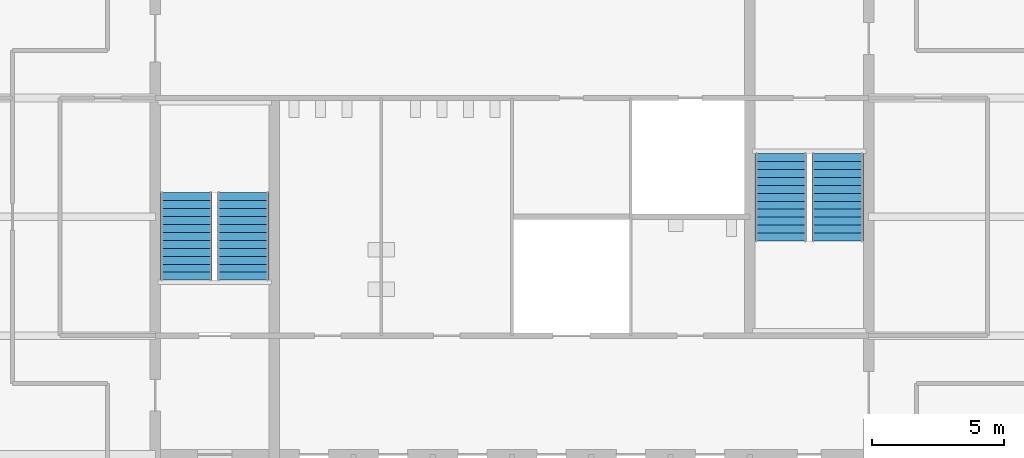
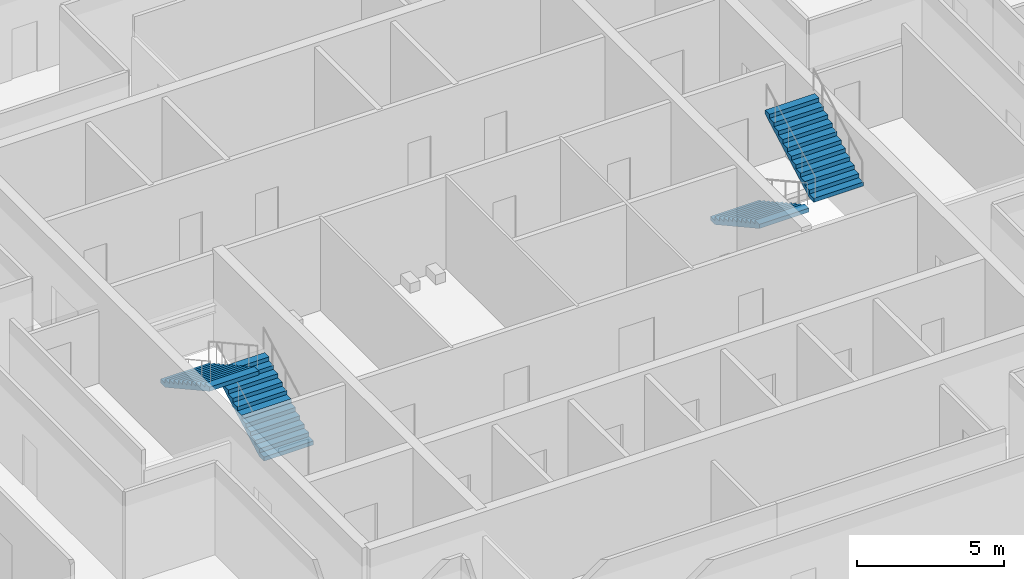
# One storey, part 12 of 14: 4 stair flights, 2 elements without a shape of their own.
"""IFC4 building model written with IfcOpenShell, lengths in metres."""

from ifc_helpers import new_model, si_unit, direction, frame, origin, place, context, subcontext, project, spatial, polyline, outline, extrude, material, type_object, element, aggregate, save


model = new_model("IFC4")

# Units and contexts
model_context = context("Model", 3, precision=1e-05, world=origin(), true_north=direction((0.0, 1.0)))
body_context = subcontext(model_context, "Body", "Model", "MODEL_VIEW")
ifc_project = project(units=[si_unit("LENGTHUNIT", "METRE"), si_unit("AREAUNIT", "SQUARE_METRE"), si_unit("VOLUMEUNIT", "CUBIC_METRE"), si_unit("PLANEANGLEUNIT", "RADIAN"), si_unit("MASSUNIT", "GRAM", prefix="KILO")], contexts=[model_context])

# Site, building, storey
site_placement = place(None, origin())
site = spatial("IfcSite", under=ifc_project, at=site_placement, CompositionType="ELEMENT")
building_placement = place(site_placement, origin())
building = spatial("IfcBuilding", under=site, at=building_placement, Name="Corais Broadcast Tower", CompositionType="ELEMENT")
storey_placement = place(building_placement, frame((0.0, 0.0, 218.60009765625)))
storey = spatial("IfcBuildingStorey", under=building, at=storey_placement, Name="L50", CompositionType="ELEMENT", Elevation=218.60009765625)

# Stair, stair flights
ifc_material_1 = material(Name="Concrete C30/37", Category="concrete")
stair_type = type_object("IfcStairType", Name="Half-turn stair 4000", PredefinedType="HALF_TURN_STAIR", material=ifc_material_1)
stair_1_placement = place(storey_placement, origin())
stair_1 = element("IfcStair", 1, at=stair_1_placement, inside=storey, type_object=stair_type, Name="Stair A L50", PredefinedType="HALF_TURN_STAIR")
ifc_material_2 = material(Name="Concrete C30/37", Category="concrete")
stair_flight_type = type_object("IfcStairFlightType", Name="Stair flight 4000", PredefinedType="STRAIGHT", material=ifc_material_2)
stair_flight_1_placement = place(storey_placement, frame((16.824951171875, 24.60009765625, 0.0), z_axis=(0.0, 0.0, 1.0), x_axis=(0.0, 1.0, 0.0)))
stair_flight_1 = element("IfcStairFlight", 2, at=stair_flight_1_placement, type_object=stair_flight_type, Name="STA flight 1", NumberOfRisers=12, NumberOfTreads=11, PredefinedType="STRAIGHT", RiserHeight=0.166666667, TreadLength=0.302, context=body_context, shape_type="SweptSolid", body=[
    extrude(outline(polyline([(0.0, 0.0), (0.0, 0.166748046875), (0.302001953125, 0.166748046875), (0.302001953125, 0.333251953125), (0.60400390625, 0.333251953125), (0.60400390625, 0.5), (0.906005859375, 0.5), (0.906005859375, 0.666748046875), (1.2080078125, 0.666748046875), (1.2080078125, 0.833251953125), (1.510009765625, 0.833251953125), (1.510009765625, 1.0), (1.81201171875, 1.0), (1.81201171875, 1.166748046875), (2.114013671875, 1.166748046875), (2.114013671875, 1.333251953125), (2.416015625, 1.333251953125), (2.416015625, 1.5), (2.718017578125, 1.5), (2.718017578125, 1.666748046875), (3.02001953125, 1.666748046875), (3.02001953125, 1.833251953125), (3.322021484375, 1.833251953125), (3.322021484375, 2.0), (3.322021484375, 1.662109375), (0.310302734375, 0.0), (0.0, 0.0)])), frame((0.0, 0.97509765625, 0.0), z_axis=(0.0, -1.0, 0.0), x_axis=(1.0, 0.0, 0.0)), (0.0, 0.0, 1.0), 1.949951171875),
])
stair_flight_2_placement = place(storey_placement, frame((14.675048828125, 27.922119140625, 2.0), z_axis=(0.0, 0.0, 1.0), x_axis=(0.0, -1.0, 0.0)))
stair_flight_2 = element("IfcStairFlight", 3, at=stair_flight_2_placement, type_object=stair_flight_type, Name="STA flight 2", NumberOfRisers=12, NumberOfTreads=11, PredefinedType="STRAIGHT", RiserHeight=0.166666667, TreadLength=0.302, context=body_context, shape_type="SweptSolid", body=[
    extrude(outline(polyline([(0.0, 0.0), (0.0, 0.166748046875), (0.302001953125, 0.166748046875), (0.302001953125, 0.333251953125), (0.60400390625, 0.333251953125), (0.60400390625, 0.5), (0.906005859375, 0.5), (0.906005859375, 0.666748046875), (1.2080078125, 0.666748046875), (1.2080078125, 0.833251953125), (1.510009765625, 0.833251953125), (1.510009765625, 1.0), (1.81201171875, 1.0), (1.81201171875, 1.166748046875), (2.114013671875, 1.166748046875), (2.114013671875, 1.333251953125), (2.416015625, 1.333251953125), (2.416015625, 1.5), (2.718017578125, 1.5), (2.718017578125, 1.666748046875), (3.02001953125, 1.666748046875), (3.02001953125, 1.833251953125), (3.322021484375, 1.833251953125), (3.322021484375, 2.0), (3.322021484375, 1.662109375), (0.310302734375, 0.0), (0.0, 0.0)])), frame((0.0, 0.97509765625, 0.0), z_axis=(0.0, -1.0, 0.0), x_axis=(1.0, 0.0, 0.0)), (0.0, 0.0, 1.0), 1.949951171875),
])
aggregate(stair_1, [stair_flight_1, stair_flight_2])

stair_2_placement = place(storey_placement, origin())
stair_2 = element("IfcStair", 4, at=stair_2_placement, inside=storey, type_object=stair_type, Name="Stair B L50", PredefinedType="HALF_TURN_STAIR")
stair_flight_3_placement = place(storey_placement, frame((37.175048828125, 29.39990234375, 0.0), z_axis=(0.0, 0.0, 1.0), x_axis=(0.0, -1.0, 0.0)))
stair_flight_3 = element("IfcStairFlight", 5, at=stair_flight_3_placement, type_object=stair_flight_type, Name="STB flight 1", NumberOfRisers=12, NumberOfTreads=11, PredefinedType="STRAIGHT", RiserHeight=0.166666667, TreadLength=0.302, context=body_context, shape_type="SweptSolid", body=[
    extrude(outline(polyline([(0.0, 0.0), (0.0, 0.166748046875), (0.302001953125, 0.166748046875), (0.302001953125, 0.333251953125), (0.60400390625, 0.333251953125), (0.60400390625, 0.5), (0.906005859375, 0.5), (0.906005859375, 0.666748046875), (1.2080078125, 0.666748046875), (1.2080078125, 0.833251953125), (1.510009765625, 0.833251953125), (1.510009765625, 1.0), (1.81201171875, 1.0), (1.81201171875, 1.166748046875), (2.114013671875, 1.166748046875), (2.114013671875, 1.333251953125), (2.416015625, 1.333251953125), (2.416015625, 1.5), (2.718017578125, 1.5), (2.718017578125, 1.666748046875), (3.02001953125, 1.666748046875), (3.02001953125, 1.833251953125), (3.322021484375, 1.833251953125), (3.322021484375, 2.0), (3.322021484375, 1.662109375), (0.310302734375, 0.0), (0.0, 0.0)])), frame((0.0, 0.97509765625, 0.0), z_axis=(0.0, -1.0, 0.0), x_axis=(1.0, 0.0, 0.0)), (0.0, 0.0, 1.0), 1.949951171875),
])
stair_flight_4_placement = place(storey_placement, frame((39.324951171875, 26.077880859375, 2.0), z_axis=(0.0, 0.0, 1.0), x_axis=(0.0, 1.0, 0.0)))
stair_flight_4 = element("IfcStairFlight", 6, at=stair_flight_4_placement, type_object=stair_flight_type, Name="STB flight 2", NumberOfRisers=12, NumberOfTreads=11, PredefinedType="STRAIGHT", RiserHeight=0.166666667, TreadLength=0.302, context=body_context, shape_type="SweptSolid", body=[
    extrude(outline(polyline([(0.0, 0.0), (0.0, 0.166748046875), (0.302001953125, 0.166748046875), (0.302001953125, 0.333251953125), (0.60400390625, 0.333251953125), (0.60400390625, 0.5), (0.906005859375, 0.5), (0.906005859375, 0.666748046875), (1.2080078125, 0.666748046875), (1.2080078125, 0.833251953125), (1.510009765625, 0.833251953125), (1.510009765625, 1.0), (1.81201171875, 1.0), (1.81201171875, 1.166748046875), (2.114013671875, 1.166748046875), (2.114013671875, 1.333251953125), (2.416015625, 1.333251953125), (2.416015625, 1.5), (2.718017578125, 1.5), (2.718017578125, 1.666748046875), (3.02001953125, 1.666748046875), (3.02001953125, 1.833251953125), (3.322021484375, 1.833251953125), (3.322021484375, 2.0), (3.322021484375, 1.662109375), (0.310302734375, 0.0), (0.0, 0.0)])), frame((0.0, 0.97509765625, 0.0), z_axis=(0.0, -1.0, 0.0), x_axis=(1.0, 0.0, 0.0)), (0.0, 0.0, 1.0), 1.949951171875),
])
aggregate(stair_2, [stair_flight_3, stair_flight_4])

save(model, "model.ifc")
